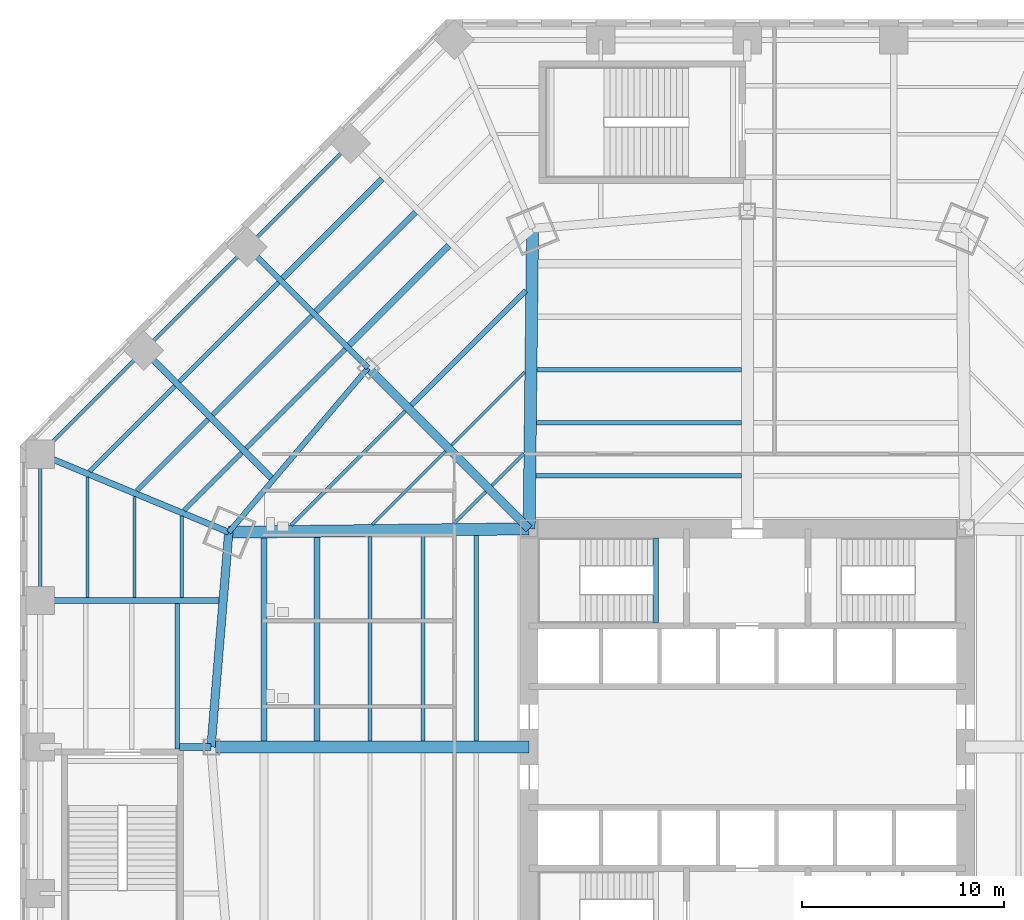
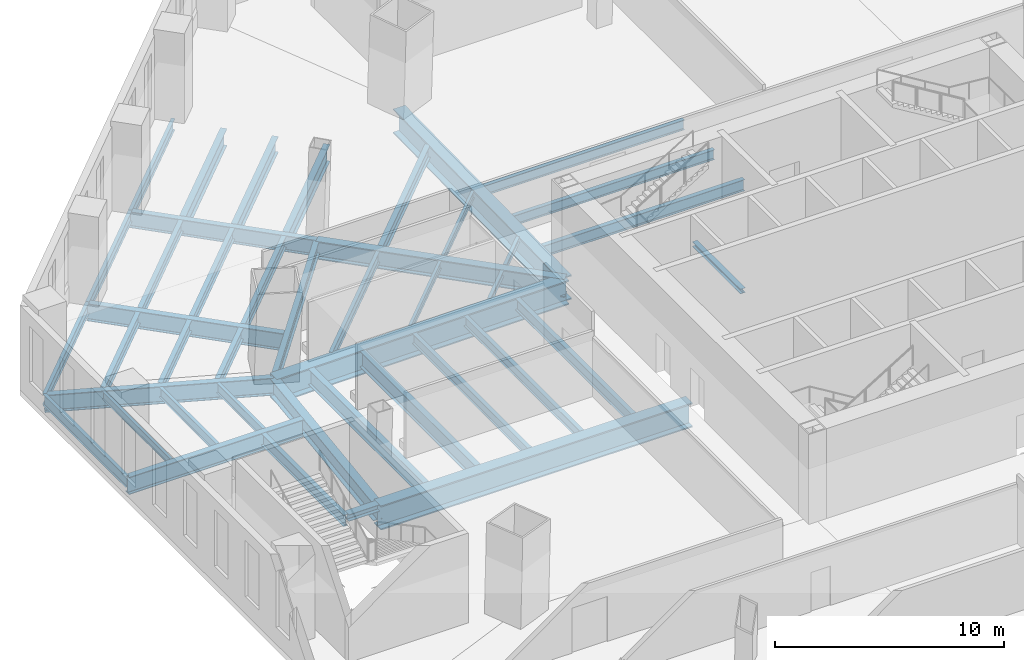
# One storey, part 4 of 19: 42 beams, 1 member.
"""IFC4 building model written with IfcOpenShell, lengths in metres."""

import ifcopenshell
import ifcopenshell.guid

model = None  # the IFC model being written
_history = None  # IfcOwnerHistory: only IFC2X3 demands one
_inside = {}  # id of a spatial element -> (the spatial element, [elements in it])
_under = {}  # id of a project, library or spatial element -> (it, [spatial elements below it])
_declared = {}  # id of a project -> (the project, [libraries it declares])
_typed = {}  # id of a type object -> (the type object, [elements of that type])
_made_of = {}  # id of a material, layer set ... -> (it, [elements and type objects made of it])


def new_model(schema):
    """Start an empty IFC model of exactly this schema.

    Asked for "IFC4X3", IfcOpenShell would pick the latest addendum, in which some entities
    have other attributes; the version numbers below select the first issue.
    IFC2X3 requires an IfcOwnerHistory on every rooted entity: one is made here for all.
    """
    global model, _history
    if schema == "IFC4X3":
        model = ifcopenshell.file(schema_version=(4, 3, 0, 0))
    else:
        model = ifcopenshell.file(schema=schema)
    _inside.clear()
    _under.clear()
    _declared.clear()
    _typed.clear()
    _made_of.clear()
    _history = None
    if model.schema == "IFC2X3":
        org = make("IfcOrganization", Name="unknown")
        user = make(
            "IfcPersonAndOrganization",
            ThePerson=make("IfcPerson", FamilyName="unknown"),
            TheOrganization=org,
        )
        app = make(
            "IfcApplication",
            ApplicationDeveloper=org,
            Version="unknown",
            ApplicationFullName="unknown",
            ApplicationIdentifier="unknown",
        )
        _history = make(
            "IfcOwnerHistory",
            OwningUser=user,
            OwningApplication=app,
            ChangeAction="ADDED",
            CreationDate=0,
        )
    return model


def make(cls, **values):
    """One entity of the class cls with the attributes given. An attribute that is None is left unset."""
    return model.create_entity(
        cls, **{name: value for name, value in values.items() if value is not None}
    )


def rooted(cls, **values):
    """An entity with a GlobalId (a new one), such as an element, a storey or a relation."""
    return make(cls, GlobalId=ifcopenshell.guid.new(), OwnerHistory=_history, **values)


def si_unit(unit_type, name, prefix=None):
    """IfcSIUnit, for example si_unit("LENGTHUNIT", "METRE", prefix="MILLI")."""
    return make("IfcSIUnit", UnitType=unit_type, Prefix=prefix, Name=name)


def assignment(units):
    """IfcUnitAssignment: the units of a project."""
    return None if units is None else make("IfcUnitAssignment", Units=units)


def point(xyz):
    """IfcCartesianPoint."""
    return None if xyz is None else make("IfcCartesianPoint", Coordinates=xyz)


def direction(xyz):
    """IfcDirection."""
    return None if xyz is None else make("IfcDirection", DirectionRatios=xyz)


def frame(location, z_axis=None, x_axis=None):
    """IfcAxis2Placement3D, a coordinate frame: its origin and axes. An axis left out is left unset."""
    return make(
        "IfcAxis2Placement3D",
        Location=point(location),
        Axis=direction(z_axis),
        RefDirection=direction(x_axis),
    )


def frame_2d(location, x_axis=None):
    """IfcAxis2Placement2D, a coordinate frame in the plane: its origin and x axis."""
    return make(
        "IfcAxis2Placement2D", Location=point(location), RefDirection=direction(x_axis)
    )


def origin():
    """The frame at (0, 0, 0) with its axes left unset."""
    return frame((0.0, 0.0, 0.0))


def origin_2d():
    """The frame at (0, 0) in the plane with its x axis left unset."""
    return frame_2d((0.0, 0.0))


def place(relative_to, where):
    """IfcLocalPlacement: puts the frame where relative to a parent placement (None: the world)."""
    return make(
        "IfcLocalPlacement", PlacementRelTo=relative_to, RelativePlacement=where
    )


def context(
    kind, dimensions, precision=None, world=None, true_north=None, identifier=None
):
    """IfcGeometricRepresentationContext, for example the 3D "Model" context."""
    return make(
        "IfcGeometricRepresentationContext",
        ContextIdentifier=identifier,
        ContextType=kind,
        CoordinateSpaceDimension=dimensions,
        Precision=precision,
        WorldCoordinateSystem=world,
        TrueNorth=true_north,
    )


def subcontext(parent, identifier, kind, view, scale=None):
    """IfcGeometricRepresentationSubContext, for example "Body" below "Model"."""
    return make(
        "IfcGeometricRepresentationSubContext",
        ContextIdentifier=identifier,
        ContextType=kind,
        ParentContext=parent,
        TargetScale=scale,
        TargetView=view,
    )


def project(units=None, contexts=None):
    """IfcProject with its units and contexts."""
    return rooted(
        "IfcProject",
        Name="project",
        RepresentationContexts=contexts,
        UnitsInContext=assignment(units),
    )


def spatial(cls, under=None, at=None, **own):
    """A site, building, storey or space (cls), placed at a placement, below another one or the project."""
    s = rooted(cls, ObjectPlacement=at, **own)
    if under is not None:
        _under.setdefault(under.id(), (under, []))[1].append(s)
    return s


def profile(cls, at=None, kind="AREA", **sizes):
    """A parametric profile (cls). Its sizes go by their IFC names, for example OverallWidth=200.0."""
    return make(cls, ProfileType=kind, Position=at, **sizes)


def i_section(**sizes):
    """IfcIShapeProfileDef."""
    return profile("IfcIShapeProfileDef", **sizes)


def extrude(swept, where, along, depth):
    """IfcExtrudedAreaSolid: the profile swept, set in the frame where, extruded along a direction by depth."""
    return make(
        "IfcExtrudedAreaSolid",
        SweptArea=swept,
        Position=where,
        ExtrudedDirection=direction(along),
        Depth=depth,
    )


def shape(context_of_items, identifier, shape_type, items):
    """IfcShapeRepresentation: the items that make up one representation, for example the "Body"."""
    return make(
        "IfcShapeRepresentation",
        ContextOfItems=context_of_items,
        RepresentationIdentifier=identifier,
        RepresentationType=shape_type,
        Items=items,
    )


def source(mapping_origin, context_of_items, identifier, shape_type, items):
    """IfcRepresentationMap: a shape defined once, which mapped items show again and again."""
    return make(
        "IfcRepresentationMap",
        MappingOrigin=mapping_origin,
        MappedRepresentation=shape(context_of_items, identifier, shape_type, items),
    )


def transform(
    local_origin,
    x_axis=None,
    y_axis=None,
    z_axis=None,
    scale=None,
    scale2=None,
    scale3=None,
    uniform=True,
):
    """IfcCartesianTransformationOperator3D, or its non-uniform kind. x_axis, y_axis, z_axis: its Axis1, 2, 3."""
    if uniform:
        return make(
            "IfcCartesianTransformationOperator3D",
            Axis1=direction(x_axis),
            Axis2=direction(y_axis),
            LocalOrigin=point(local_origin),
            Scale=scale,
            Axis3=direction(z_axis),
        )
    return make(
        "IfcCartesianTransformationOperator3DnonUniform",
        Axis1=direction(x_axis),
        Axis2=direction(y_axis),
        LocalOrigin=point(local_origin),
        Scale=scale,
        Axis3=direction(z_axis),
        Scale2=scale2,
        Scale3=scale3,
    )


def mapped(mapping_source, mapping_target):
    """IfcMappedItem: shows the shape of a source again, moved by a transform."""
    return make(
        "IfcMappedItem", MappingSource=mapping_source, MappingTarget=mapping_target
    )


def material(Name=None, Category=None):
    """IfcMaterial."""
    return make("IfcMaterial", Name=Name, Category=Category)


def material_profile(
    of_material, cross_section, Name=None, Category=None, Priority=None
):
    """IfcMaterialProfile: a cross section and its material."""
    return make(
        "IfcMaterialProfile",
        Name=Name,
        Material=of_material,
        Profile=cross_section,
        Priority=Priority,
        Category=Category,
    )


def profile_set(profiles, Name=None, composite=None):
    """IfcMaterialProfileSet."""
    return make(
        "IfcMaterialProfileSet",
        Name=Name,
        MaterialProfiles=profiles,
        CompositeProfile=composite,
    )


def made_of(thing, what):
    """Note that an element or type object is made of a material, layer set ...; save() writes the relation."""
    if what is not None:
        _made_of.setdefault(what.id(), (what, []))[1].append(thing)
    return thing


def type_object(cls, material=None, **own):
    """A type object (cls), such as IfcWallType, which elements share."""
    return made_of(rooted(cls, **own), material)


def type_shapes(of_type, sources):
    """Give a type object the sources (RepresentationMaps) that its elements show as mapped items."""
    of_type.RepresentationMaps = sources


def element(
    cls,
    number,
    at=None,
    inside=None,
    cuts=None,
    type_object=None,
    material=None,
    context=None,
    identifier="Body",
    shape_type=None,
    held_by="IfcProductDefinitionShape",
    body=None,
    shapes=None,
    **own,
):
    """One element of the class cls, such as IfcWall. Its Tag is "e" and its number.

    at: its placement. inside: the storey or other place that contains it. cuts: it is an
    opening in that element (IfcRelVoidsElement). A single representation is given by context,
    identifier, shape_type and body (its items); several are given by shapes. held_by: the class
    of the entity that holds the representations. save() writes the other relations.
    """
    e = rooted(cls, Tag="e%d" % number, ObjectPlacement=at, **own)
    if body is not None:
        shapes = [shape(context, identifier, shape_type, body)]
    if shapes is not None:
        e.Representation = make(held_by, Representations=shapes)
    if inside is not None:
        _inside.setdefault(inside.id(), (inside, []))[1].append(e)
    if cuts is not None:
        rooted(
            "IfcRelVoidsElement", RelatingBuildingElement=cuts, RelatedOpeningElement=e
        )
    if type_object is not None:
        _typed.setdefault(type_object.id(), (type_object, []))[1].append(e)
    return made_of(e, material)


def aggregate(whole, parts):
    """IfcRelAggregates: a whole, such as a stair, and the parts it consists of."""
    return rooted("IfcRelAggregates", RelatingObject=whole, RelatedObjects=parts)


def save(model, path):
    """Write the relations noted so far, then the file.

    IfcRelAggregates (storeys below a building ...), IfcRelContainedInSpatialStructure (elements
    in a storey), IfcRelDefinesByType, IfcRelAssociatesMaterial and IfcRelDeclares: one each for
    every whole, place, type object, material and project.
    """
    for whole, parts in _under.values():
        aggregate(whole, parts)
    for where, things in _inside.values():
        rooted(
            "IfcRelContainedInSpatialStructure",
            RelatedElements=things,
            RelatingStructure=where,
        )
    for kind, things in _typed.values():
        rooted("IfcRelDefinesByType", RelatedObjects=things, RelatingType=kind)
    for what, things in _made_of.values():
        rooted("IfcRelAssociatesMaterial", RelatedObjects=things, RelatingMaterial=what)
    for by, libraries in _declared.values():
        rooted("IfcRelDeclares", RelatingContext=by, RelatedDefinitions=libraries)
    model.write(path)


model = new_model("IFC4")

# Units and contexts
model_context = context("Model", 3, precision=1e-05, world=origin(), true_north=direction((0.0, 1.0)))
body_context = subcontext(model_context, "Body", "Model", "MODEL_VIEW")
ifc_project = project(units=[si_unit("LENGTHUNIT", "METRE"), si_unit("AREAUNIT", "SQUARE_METRE"), si_unit("VOLUMEUNIT", "CUBIC_METRE"), si_unit("PLANEANGLEUNIT", "RADIAN"), si_unit("MASSUNIT", "GRAM", prefix="KILO")], contexts=[model_context])

# Site, building, storey
site_placement = place(None, origin())
site = spatial("IfcSite", under=ifc_project, at=site_placement, CompositionType="ELEMENT")
building_placement = place(site_placement, origin())
building = spatial("IfcBuilding", under=site, at=building_placement, Name="Mashrafa Tower", CompositionType="ELEMENT")
storey_placement = place(building_placement, frame((0.0, 0.0, 24.0)))
storey = spatial("IfcBuildingStorey", under=building, at=storey_placement, Name="L04", CompositionType="ELEMENT", Elevation=24.0)

# Beams
ifc_material_1 = material(Name="Steel ASTM A572 Gr 50", Category="steel")
ifc_material_profile_1 = material_profile(ifc_material_1, i_section(OverallWidth=0.60009765625, OverallDepth=1.300048828125, WebThickness=0.028076171875, FlangeThickness=0.06494140625, at=origin_2d()), Name="H1300X600X28X65")
ifc_profile_set_1 = profile_set([ifc_material_profile_1], Name="Steel ASTM A572 Gr 50")
beam_type_1 = type_object("IfcBeamType", Name="Beam H1300X600X28X65", PredefinedType="BEAM", material=ifc_profile_set_1)
beam_1_placement = place(storey_placement, frame((-10.800048828125, 0.0, -0.949951171875), z_axis=(-1.0, 0.0, 0.0), x_axis=(0.0, -1.0, 0.0)))
element("IfcBeam", 1, at=beam_1_placement, inside=storey, type_object=beam_type_1, Name="Radial girder L04 212", PredefinedType="BEAM", context=body_context, shape_type="SweptSolid", body=[
    extrude(i_section(OverallWidth=0.60009765625, OverallDepth=1.300048828125, WebThickness=0.028076171875, FlangeThickness=0.06494140625, at=origin_2d()), origin(), (0.0, 0.0, 1.0), 15.744140625),
])
for number, where, z_axis, x_axis, name in (
    (2, (-10.800048828125, 10.800048828125, -0.949951171875), (-0.999935429535, -0.011363835661, 0.0), (0.011363835661, -0.999935429535, 0.0), "Radial girder L04 213"),
    (3, (-10.800048828125, 10.800048828125, -0.949951171875), (0.011363835661, 0.999935429535, 0.0), (-0.999935429535, 0.011363835661, 0.0), "Radial girder L04 215"),
):
    element("IfcBeam", number, at=place(storey_placement, frame(where, z_axis=z_axis, x_axis=x_axis)), inside=storey, type_object=beam_type_1, Name=name, PredefinedType="BEAM", context=body_context, shape_type="SweptSolid", body=[
        extrude(i_section(OverallWidth=0.60009765625, OverallDepth=1.300048828125, WebThickness=0.028076171875, FlangeThickness=0.06494140625, at=origin_2d()), origin(), (0.0, 0.0, 1.0), 14.866943359375),
    ])
ifc_material_2 = material(Name="Steel ASTM A992", Category="steel")
ifc_material_profile_2 = material_profile(ifc_material_2, i_section(OverallWidth=0.164794921875, OverallDepth=0.309814453125, WebThickness=0.005859375, FlangeThickness=0.009765625, FilletRadius=0.007568359375, at=origin_2d()), Name="W12X26")
ifc_profile_set_2 = profile_set([ifc_material_profile_2], Name="Steel ASTM A992")
beam_type_2 = type_object("IfcBeamType", Name="Beam W12X26", PredefinedType="BEAM", material=ifc_profile_set_2)
for number, where, z_axis, x_axis, name in (
    (4, (-14.527099609375, 11.0576171875, -0.454833984375), (0.707106781187, 0.707106781187, 0.0), (-0.707106781187, 0.707106781187, 0.0), "Floor beam L04 030"),
    (5, (-12.642333984375, 12.9423828125, -0.454833984375), (0.707106781187, 0.707106781187, 0.0), (-0.707106781187, 0.707106781187, 0.0), "Floor beam L04 038"),
):
    element("IfcBeam", number, at=place(storey_placement, frame(where, z_axis=z_axis, x_axis=x_axis)), inside=storey, type_object=beam_type_2, Name=name, PredefinedType="BEAM", context=body_context, shape_type="SweptSolid", body=[
        extrude(i_section(OverallWidth=0.164794921875, OverallDepth=0.309814453125, WebThickness=0.005859375, FlangeThickness=0.009765625, FilletRadius=0.007568359375, at=origin_2d()), origin(), (0.0, 0.0, 1.0), 2.2412109375),
    ])
ifc_material_3 = material(Name="Steel ASTM A992", Category="steel")
ifc_material_profile_3 = material_profile(ifc_material_3, i_section(OverallWidth=0.140380859375, OverallDepth=0.40380859375, WebThickness=0.007080078125, FlangeThickness=0.01123046875, FilletRadius=0.01025390625, at=origin_2d()), Name="W16X31")
ifc_profile_set_3 = profile_set([ifc_material_profile_3], Name="Steel ASTM A992")
beam_type_3 = type_object("IfcBeamType", Name="Beam W16X31", PredefinedType="BEAM", material=ifc_profile_set_3)
beam_2_placement = place(storey_placement, frame((-32.66650390625, 7.40234375, -0.501953125), z_axis=(0.0, 1.0, 0.0), x_axis=(-1.0, 0.0, 0.0)))
element("IfcBeam", 6, at=beam_2_placement, inside=storey, type_object=beam_type_3, Name="Floor beam L04 003", PredefinedType="BEAM", context=body_context, shape_type="SweptSolid", body=[
    extrude(i_section(OverallWidth=0.140380859375, OverallDepth=0.40380859375, WebThickness=0.007080078125, FlangeThickness=0.01123046875, FilletRadius=0.01025390625, at=origin_2d()), origin(), (0.0, 0.0, 1.0), 5.962158203125),
])
for number, where, z_axis, x_axis, name in (
    (7, (-18.5576171875, 11.011962890625, -0.501953125), (0.707106781187, 0.707106781187, 0.0), (-0.707106781187, 0.707106781187, 0.0), "Floor beam L04 023"),
    (8, (-14.634765625, 14.934814453125, -0.501953125), (0.707106781187, 0.707106781187, 0.0), (-0.707106781187, 0.707106781187, 0.0), "Floor beam L04 032"),
):
    element("IfcBeam", number, at=place(storey_placement, frame(where, z_axis=z_axis, x_axis=x_axis)), inside=storey, type_object=beam_type_3, Name=name, PredefinedType="BEAM", context=body_context, shape_type="SweptSolid", body=[
        extrude(i_section(OverallWidth=0.140380859375, OverallDepth=0.40380859375, WebThickness=0.007080078125, FlangeThickness=0.01123046875, FilletRadius=0.01025390625, at=origin_2d()), origin(), (0.0, 0.0, 1.0), 5.12353515625),
    ])
ifc_material_4 = material(Name="Steel ASTM A992", Category="steel")
ifc_material_profile_4 = material_profile(ifc_material_4, i_section(OverallWidth=0.1650390625, OverallDepth=0.52587890625, WebThickness=0.0087890625, FlangeThickness=0.011474609375, FilletRadius=0.0126953125, at=origin_2d()), Name="W21X44")
ifc_profile_set_4 = profile_set([ifc_material_profile_4], Name="Steel ASTM A992")
beam_type_4 = type_object("IfcBeamType", Name="Beam W21X44", PredefinedType="BEAM", material=ifc_profile_set_4)
beam_3_placement = place(storey_placement, frame((-30.3330078125, 7.40234375, -0.56298828125), z_axis=(0.0, 1.0, 0.0), x_axis=(-1.0, 0.0, 0.0)))
element("IfcBeam", 9, at=beam_3_placement, inside=storey, type_object=beam_type_4, Name="Floor beam L04 007", PredefinedType="BEAM", context=body_context, shape_type="SweptSolid", body=[
    extrude(i_section(OverallWidth=0.1650390625, OverallDepth=0.52587890625, WebThickness=0.0087890625, FlangeThickness=0.011474609375, FilletRadius=0.0126953125, at=origin_2d()), origin(), (0.0, 0.0, 1.0), 4.995849609375),
])
beam_4_placement = place(storey_placement, frame((-27.99951171875, 7.40234375, -0.56298828125), z_axis=(0.0, 1.0, 0.0), x_axis=(-1.0, 0.0, 0.0)))
element("IfcBeam", 10, at=beam_4_placement, inside=storey, type_object=beam_type_4, Name="Floor beam L04 010", PredefinedType="BEAM", context=body_context, shape_type="SweptSolid", body=[
    extrude(i_section(OverallWidth=0.1650390625, OverallDepth=0.52587890625, WebThickness=0.0087890625, FlangeThickness=0.011474609375, FilletRadius=0.0126953125, at=origin_2d()), origin(), (0.0, 0.0, 1.0), 4.029052734375),
])
ifc_material_5 = material(Name="Steel ASTM A992", Category="steel")
ifc_material_profile_5 = material_profile(ifc_material_5, i_section(OverallWidth=0.209228515625, OverallDepth=0.533447265625, WebThickness=0.01025390625, FlangeThickness=0.015625, FilletRadius=0.012939453125, at=origin_2d()), Name="W21X62")
ifc_profile_set_5 = profile_set([ifc_material_profile_5], Name="Steel ASTM A992")
beam_type_5 = type_object("IfcBeamType", Name="Beam W21X62", PredefinedType="BEAM", material=ifc_profile_set_5)
beam_5_placement = place(storey_placement, frame((-18.672119140625, 0.300048828125, -0.566650390625), z_axis=(0.0, 1.0, 0.0), x_axis=(-1.0, 0.0, 0.0)))
element("IfcBeam", 11, at=beam_5_placement, inside=storey, type_object=beam_type_5, Name="Floor beam L04 025", PredefinedType="BEAM", context=body_context, shape_type="SweptSolid", body=[
    extrude(i_section(OverallWidth=0.209228515625, OverallDepth=0.533447265625, WebThickness=0.01025390625, FlangeThickness=0.015625, FilletRadius=0.012939453125, at=origin_2d()), origin(), (0.0, 0.0, 1.0), 10.110595703125),
])
for number, where, z_axis, x_axis, name in (
    (12, (-16.048095703125, 0.300048828125, -0.566650390625), (0.0, 1.0, 0.0), (-1.0, 0.0, 0.0), "Floor beam L04 029"),
    (13, (-10.4404296875, 16.048095703125, -0.566650390625), (1.0, 0.0, 0.0), (0.0, 1.0, 0.0), "Floor beam L04 044"),
):
    element("IfcBeam", number, at=place(storey_placement, frame(where, z_axis=z_axis, x_axis=x_axis)), inside=storey, type_object=beam_type_5, Name=name, PredefinedType="BEAM", context=body_context, shape_type="SweptSolid", body=[
        extrude(i_section(OverallWidth=0.209228515625, OverallDepth=0.533447265625, WebThickness=0.01025390625, FlangeThickness=0.015625, FilletRadius=0.012939453125, at=origin_2d()), origin(), (0.0, 0.0, 1.0), 10.140380859375),
    ])
beam_6_placement = place(storey_placement, frame((-10.41064453125, 18.672119140625, -0.566650390625), z_axis=(1.0, 0.0, 0.0), x_axis=(0.0, 1.0, 0.0)))
element("IfcBeam", 14, at=beam_6_placement, inside=storey, type_object=beam_type_5, Name="Floor beam L04 045", PredefinedType="BEAM", context=body_context, shape_type="SweptSolid", body=[
    extrude(i_section(OverallWidth=0.209228515625, OverallDepth=0.533447265625, WebThickness=0.01025390625, FlangeThickness=0.015625, FilletRadius=0.012939453125, at=origin_2d()), origin(), (0.0, 0.0, 1.0), 10.110595703125),
])
ifc_material_6 = material(Name="Steel ASTM A992", Category="steel")
ifc_material_profile_6 = material_profile(ifc_material_6, i_section(OverallWidth=0.177978515625, OverallDepth=0.599365234375, WebThickness=0.010009765625, FlangeThickness=0.012939453125, FilletRadius=0.012939453125, at=origin_2d()), Name="W24X55")
ifc_profile_set_6 = profile_set([ifc_material_profile_6], Name="Steel ASTM A992")
beam_type_6 = type_object("IfcBeamType", Name="Beam W24X55", PredefinedType="BEAM", material=ifc_profile_set_6)
beam_7_placement = place(storey_placement, frame((-22.588134765625, 10.96630859375, -0.599609375), z_axis=(0.707106781187, 0.707106781187, 0.0), x_axis=(-0.707106781187, 0.707106781187, 0.0)))
element("IfcBeam", 15, at=beam_7_placement, inside=storey, type_object=beam_type_6, Name="Floor beam L04 016", PredefinedType="BEAM", context=body_context, shape_type="SweptSolid", body=[
    extrude(i_section(OverallWidth=0.177978515625, OverallDepth=0.599365234375, WebThickness=0.010009765625, FlangeThickness=0.012939453125, FilletRadius=0.012939453125, at=origin_2d()), origin(), (0.0, 0.0, 1.0), 8.005615234375),
])
beam_8_placement = place(storey_placement, frame((-35.0, 14.49755859375, -0.599609375), z_axis=(0.0, -1.0, 0.0), x_axis=(1.0, 0.0, 0.0)))
element("IfcBeam", 16, at=beam_8_placement, inside=storey, type_object=beam_type_6, Name="Podium edge beam L04 125", PredefinedType="BEAM", context=body_context, shape_type="SweptSolid", body=[
    extrude(i_section(OverallWidth=0.177978515625, OverallDepth=0.599365234375, WebThickness=0.010009765625, FlangeThickness=0.012939453125, FilletRadius=0.012939453125, at=origin_2d()), origin(), (0.0, 0.0, 1.0), 7.248779296875),
])
beam_9_placement = place(storey_placement, frame((-29.87451171875, 19.623046875, -0.599609375), z_axis=(-0.707106781187, -0.707106781187, 0.0), x_axis=(0.707106781187, -0.707106781187, 0.0)))
element("IfcBeam", 17, at=beam_9_placement, inside=storey, type_object=beam_type_6, Name="Podium edge beam L04 127", PredefinedType="BEAM", context=body_context, shape_type="SweptSolid", body=[
    extrude(i_section(OverallWidth=0.177978515625, OverallDepth=0.599365234375, WebThickness=0.010009765625, FlangeThickness=0.012939453125, FilletRadius=0.012939453125, at=origin_2d()), origin(), (0.0, 0.0, 1.0), 7.24853515625),
])
for number, where, z_axis, x_axis, name in (
    (18, (-24.748779296875, 24.748779296875, -0.599609375), (-0.707106781187, -0.707106781187, 0.0), (0.707106781187, -0.707106781187, 0.0), "Podium edge beam L04 129"),
    (19, (-19.623046875, 29.87451171875, -0.599609375), (-0.707106781187, -0.707106781187, 0.0), (0.707106781187, -0.707106781187, 0.0), "Podium edge beam L04 131"),
):
    element("IfcBeam", number, at=place(storey_placement, frame(where, z_axis=z_axis, x_axis=x_axis)), inside=storey, type_object=beam_type_6, Name=name, PredefinedType="BEAM", context=body_context, shape_type="SweptSolid", body=[
        extrude(i_section(OverallWidth=0.177978515625, OverallDepth=0.599365234375, WebThickness=0.010009765625, FlangeThickness=0.012939453125, FilletRadius=0.012939453125, at=origin_2d()), origin(), (0.0, 0.0, 1.0), 7.248779296875),
    ])
ifc_material_7 = material(Name="Steel ASTM A992", Category="steel")
ifc_material_profile_7 = material_profile(ifc_material_7, i_section(OverallWidth=0.227783203125, OverallDepth=0.60205078125, WebThickness=0.010498046875, FlangeThickness=0.014892578125, FilletRadius=0.012939453125, at=origin_2d()), Name="W24X68")
ifc_profile_set_7 = profile_set([ifc_material_profile_7], Name="Steel ASTM A992")
beam_type_7 = type_object("IfcBeamType", Name="Beam W24X68", PredefinedType="BEAM", material=ifc_profile_set_7)
beam_10_placement = place(storey_placement, frame((-30.21533203125, 12.681884765625, -0.60107421875), z_axis=(0.707082344687, 0.707131216842, 0.0), x_axis=(-0.707131216842, 0.707082344687, 0.0)))
element("IfcBeam", 20, at=beam_10_placement, inside=storey, type_object=beam_type_7, Name="Floor beam L04 008 part 1", PredefinedType="BEAM", context=body_context, shape_type="SweptSolid", body=[
    extrude(i_section(OverallWidth=0.227783203125, OverallDepth=0.60205078125, WebThickness=0.010498046875, FlangeThickness=0.014892578125, FilletRadius=0.012939453125, at=origin_2d()), origin(), (0.0, 0.0, 1.0), 4.99560546875),
])
beam_11_placement = place(storey_placement, frame((-26.465576171875, 16.431640625, -0.60107421875), z_axis=(0.707089214407, 0.707124347529, 0.0), x_axis=(-0.707124347529, 0.707089214407, 0.0)))
element("IfcBeam", 21, at=beam_11_placement, inside=storey, type_object=beam_type_7, Name="Floor beam L04 008 part 2", PredefinedType="BEAM", context=body_context, shape_type="SweptSolid", body=[
    extrude(i_section(OverallWidth=0.227783203125, OverallDepth=0.60205078125, WebThickness=0.010498046875, FlangeThickness=0.014892578125, FilletRadius=0.012939453125, at=origin_2d()), origin(), (0.0, 0.0, 1.0), 6.948974609375),
])
ifc_material_8 = material(Name="Steel ASTM A992", Category="steel")
ifc_material_profile_8 = material_profile(ifc_material_8, i_section(OverallWidth=0.228271484375, OverallDepth=0.607177734375, WebThickness=0.01123046875, FlangeThickness=0.017333984375, FilletRadius=0.0126953125, at=origin_2d()), Name="W24X76")
ifc_profile_set_8 = profile_set([ifc_material_profile_8], Name="Steel ASTM A992")
beam_type_8 = type_object("IfcBeamType", Name="Beam W24X76", PredefinedType="BEAM", material=ifc_profile_set_8)
beam_12_placement = place(storey_placement, frame((-32.548828125, 13.6484375, -0.603515625), z_axis=(0.707086306999, 0.707127254781, 0.0), x_axis=(-0.707127254781, 0.707086306999, 0.0)))
element("IfcBeam", 22, at=beam_12_placement, inside=storey, type_object=beam_type_8, Name="Floor beam L04 004 part 1", PredefinedType="BEAM", context=body_context, shape_type="SweptSolid", body=[
    extrude(i_section(OverallWidth=0.228271484375, OverallDepth=0.607177734375, WebThickness=0.01123046875, FlangeThickness=0.017333984375, FilletRadius=0.0126953125, at=origin_2d()), origin(), (0.0, 0.0, 1.0), 5.962158203125),
])
beam_13_placement = place(storey_placement, frame((-28.11572265625, 18.081787109375, -0.603515625), z_axis=(0.707124347529, 0.707089214407, 0.0), x_axis=(-0.707089214407, 0.707124347529, 0.0)))
element("IfcBeam", 23, at=beam_13_placement, inside=storey, type_object=beam_type_8, Name="Floor beam L04 004 part 2", PredefinedType="BEAM", context=body_context, shape_type="SweptSolid", body=[
    extrude(i_section(OverallWidth=0.228271484375, OverallDepth=0.607177734375, WebThickness=0.01123046875, FlangeThickness=0.017333984375, FilletRadius=0.0126953125, at=origin_2d()), origin(), (0.0, 0.0, 1.0), 6.948974609375),
])
for number, where, z_axis, x_axis, name in (
    (24, (-13.424072265625, 0.300048828125, -0.603515625), (0.0, 1.0, 0.0), (-1.0, 0.0, 0.0), "Floor beam L04 036"),
    (25, (-10.47021484375, 13.424072265625, -0.603515625), (1.0, 0.0, 0.0), (0.0, 1.0, 0.0), "Floor beam L04 042"),
):
    element("IfcBeam", number, at=place(storey_placement, frame(where, z_axis=z_axis, x_axis=x_axis)), inside=storey, type_object=beam_type_8, Name=name, PredefinedType="BEAM", context=body_context, shape_type="SweptSolid", body=[
        extrude(i_section(OverallWidth=0.228271484375, OverallDepth=0.607177734375, WebThickness=0.01123046875, FlangeThickness=0.017333984375, FilletRadius=0.0126953125, at=origin_2d()), origin(), (0.0, 0.0, 1.0), 10.170166015625),
    ])
ifc_material_9 = material(Name="Steel ASTM A992", Category="steel")
ifc_material_profile_9 = material_profile(ifc_material_9, i_section(OverallWidth=0.22900390625, OverallDepth=0.612060546875, WebThickness=0.011962890625, FlangeThickness=0.01953125, FilletRadius=0.0126953125, at=origin_2d()), Name="W24X84")
ifc_profile_set_9 = profile_set([ifc_material_profile_9], Name="Steel ASTM A992")
beam_type_9 = type_object("IfcBeamType", Name="Beam W24X84", PredefinedType="BEAM", material=ifc_profile_set_9)
beam_14_placement = place(storey_placement, frame((-28.208984375, -0.10009765625, -0.60595703125), z_axis=(0.0, 1.0, 0.0), x_axis=(-1.0, 0.0, 0.0)))
element("IfcBeam", 26, at=beam_14_placement, inside=storey, type_object=beam_type_9, Name="Floor beam L04 009", PredefinedType="BEAM", context=body_context, shape_type="SweptSolid", body=[
    extrude(i_section(OverallWidth=0.22900390625, OverallDepth=0.612060546875, WebThickness=0.011962890625, FlangeThickness=0.01953125, FilletRadius=0.0126953125, at=origin_2d()), origin(), (0.0, 0.0, 1.0), 7.195068359375),
])
beam_15_placement = place(storey_placement, frame((-27.882080078125, 11.71533203125, -0.60595703125), z_axis=(0.707106781187, 0.707106781187, 0.0), x_axis=(-0.707106781187, 0.707106781187, 0.0)))
element("IfcBeam", 27, at=beam_15_placement, inside=storey, type_object=beam_type_9, Name="Floor beam L04 011 part 1", PredefinedType="BEAM", context=body_context, shape_type="SweptSolid", body=[
    extrude(i_section(OverallWidth=0.22900390625, OverallDepth=0.612060546875, WebThickness=0.011962890625, FlangeThickness=0.01953125, FilletRadius=0.0126953125, at=origin_2d()), origin(), (0.0, 0.0, 1.0), 4.02880859375),
])
beam_16_placement = place(storey_placement, frame((-24.815673828125, 14.78173828125, -0.60595703125), z_axis=(0.707106781187, 0.707106781187, 0.0), x_axis=(-0.707106781187, 0.707106781187, 0.0)))
element("IfcBeam", 28, at=beam_16_placement, inside=storey, type_object=beam_type_9, Name="Floor beam L04 011 part 2", PredefinedType="BEAM", context=body_context, shape_type="SweptSolid", body=[
    extrude(i_section(OverallWidth=0.22900390625, OverallDepth=0.612060546875, WebThickness=0.011962890625, FlangeThickness=0.01953125, FilletRadius=0.0126953125, at=origin_2d()), origin(), (0.0, 0.0, 1.0), 6.94873046875),
])
ifc_material_10 = material(Name="Steel ASTM A992", Category="steel")
ifc_material_profile_10 = material_profile(ifc_material_10, i_section(OverallWidth=0.256591796875, OverallDepth=0.693359375, WebThickness=0.014404296875, FlangeThickness=0.023681640625, FilletRadius=0.01513671875, at=origin_2d()), Name="W27X114")
ifc_profile_set_10 = profile_set([ifc_material_profile_10], Name="Steel ASTM A992")
beam_type_10 = type_object("IfcBeamType", Name="Beam W27X114", PredefinedType="BEAM", material=ifc_profile_set_10)
beam_17_placement = place(storey_placement, frame((-16.627197265625, 16.92724609375, -0.646728515625), z_axis=(0.707106781187, 0.707106781187, 0.0), x_axis=(-0.707106781187, 0.707106781187, 0.0)))
element("IfcBeam", 29, at=beam_17_placement, inside=storey, type_object=beam_type_10, Name="Floor beam L04 027", PredefinedType="BEAM", context=body_context, shape_type="SweptSolid", body=[
    extrude(i_section(OverallWidth=0.256591796875, OverallDepth=0.693359375, WebThickness=0.014404296875, FlangeThickness=0.023681640625, FilletRadius=0.01513671875, at=origin_2d()), origin(), (0.0, 0.0, 1.0), 8.005615234375),
])
ifc_material_11 = material(Name="Steel ASTM A992", Category="steel")
ifc_material_profile_11 = material_profile(ifc_material_11, i_section(OverallWidth=0.2666015625, OverallDepth=0.75439453125, WebThickness=0.01318359375, FlangeThickness=0.01708984375, FilletRadius=0.0166015625, at=origin_2d()), Name="W30X99")
ifc_profile_set_11 = profile_set([ifc_material_profile_11], Name="Steel ASTM A992")
beam_type_11 = type_object("IfcBeamType", Name="Beam W30X99", PredefinedType="BEAM", material=ifc_profile_set_11)
beam_18_placement = place(storey_placement, frame((-18.76953125, 18.76953125, -0.67724609375), z_axis=(-0.646495054793, -0.762918176562, 0.0), x_axis=(0.762918176562, -0.646495054793, 0.0)))
element("IfcBeam", 30, at=beam_18_placement, inside=storey, type_object=beam_type_11, Name="Podium ring girder L04 197", PredefinedType="BEAM", context=body_context, shape_type="SweptSolid", body=[
    extrude(i_section(OverallWidth=0.2666015625, OverallDepth=0.75439453125, WebThickness=0.01318359375, FlangeThickness=0.01708984375, FilletRadius=0.0166015625, at=origin_2d()), origin(), (0.0, 0.0, 1.0), 10.66748046875),
])
ifc_material_12 = material(Name="Steel ASTM A992", Category="steel")
ifc_material_profile_12 = material_profile(ifc_material_12, i_section(OverallWidth=0.2919921875, OverallDepth=0.8408203125, WebThickness=0.0146484375, FlangeThickness=0.021728515625, FilletRadius=0.017333984375, at=origin_2d()), Name="W33X130")
ifc_profile_set_12 = profile_set([ifc_material_profile_12], Name="Steel ASTM A992")
beam_type_12 = type_object("IfcBeamType", Name="Beam W33X130", PredefinedType="BEAM", material=ifc_profile_set_12)
beam_19_placement = place(storey_placement, frame((-21.296142578125, 0.300048828125, -0.720458984375), z_axis=(0.0, 1.0, 0.0), x_axis=(-1.0, 0.0, 0.0)))
element("IfcBeam", 31, at=beam_19_placement, inside=storey, type_object=beam_type_12, Name="Floor beam L04 020", PredefinedType="BEAM", context=body_context, shape_type="SweptSolid", body=[
    extrude(i_section(OverallWidth=0.2919921875, OverallDepth=0.8408203125, WebThickness=0.0146484375, FlangeThickness=0.021728515625, FilletRadius=0.017333984375, at=origin_2d()), origin(), (0.0, 0.0, 1.0), 10.080810546875),
])
ifc_material_13 = material(Name="Steel ASTM A992", Category="steel")
ifc_material_profile_13 = material_profile(ifc_material_13, i_section(OverallWidth=0.2919921875, OverallDepth=0.845703125, WebThickness=0.015380859375, FlangeThickness=0.0244140625, FilletRadius=0.017333984375, at=origin_2d()), Name="W33X141")
ifc_profile_set_13 = profile_set([ifc_material_profile_13], Name="Steel ASTM A992")
beam_type_13 = type_object("IfcBeamType", Name="Beam W33X141", PredefinedType="BEAM", material=ifc_profile_set_13)
beam_20_placement = place(storey_placement, frame((-23.92041015625, 0.300048828125, -0.722900390625), z_axis=(0.0, 1.0, 0.0), x_axis=(-1.0, 0.0, 0.0)))
element("IfcBeam", 32, at=beam_20_placement, inside=storey, type_object=beam_type_13, Name="Floor beam L04 013", PredefinedType="BEAM", context=body_context, shape_type="SweptSolid", body=[
    extrude(i_section(OverallWidth=0.2919921875, OverallDepth=0.845703125, WebThickness=0.015380859375, FlangeThickness=0.0244140625, FilletRadius=0.017333984375, at=origin_2d()), origin(), (0.0, 0.0, 1.0), 10.051025390625),
])
beam_21_placement = place(storey_placement, frame((-21.345458984375, 21.552001953125, -0.722900390625), z_axis=(0.707124347529, 0.707089214407, 0.0), x_axis=(-0.707089214407, 0.707124347529, 0.0)))
element("IfcBeam", 33, at=beam_21_placement, inside=storey, type_object=beam_type_13, Name="Floor beam L04 018 part 1", PredefinedType="BEAM", context=body_context, shape_type="SweptSolid", body=[
    extrude(i_section(OverallWidth=0.2919921875, OverallDepth=0.845703125, WebThickness=0.015380859375, FlangeThickness=0.0244140625, FilletRadius=0.017333984375, at=origin_2d()), origin(), (0.0, 0.0, 1.0), 6.948974609375),
])
ifc_material_14 = material(Name="Steel ASTM A992", Category="steel")
ifc_material_profile_14 = material_profile(ifc_material_14, i_section(OverallWidth=0.2919921875, OverallDepth=0.8583984375, WebThickness=0.01708984375, FlangeThickness=0.031005859375, FilletRadius=0.017822265625, at=origin_2d()), Name="W33X169")
ifc_profile_set_14 = profile_set([ifc_material_profile_14], Name="Steel ASTM A992")
beam_type_14 = type_object("IfcBeamType", Name="Beam W33X169", PredefinedType="BEAM", material=ifc_profile_set_14)
beam_22_placement = place(storey_placement, frame((-18.76953125, 18.76953125, -0.729248046875), z_axis=(-0.707106781187, 0.707106781187, 0.0), x_axis=(-0.707106781187, -0.707106781187, 0.0)))
element("IfcBeam", 34, at=beam_22_placement, inside=storey, type_object=beam_type_14, Name="Podium radial beam L04 163", PredefinedType="BEAM", context=body_context, shape_type="SweptSolid", body=[
    extrude(i_section(OverallWidth=0.2919921875, OverallDepth=0.8583984375, WebThickness=0.01708984375, FlangeThickness=0.031005859375, FilletRadius=0.017822265625, at=origin_2d()), origin(), (0.0, 0.0, 1.0), 8.4560546875),
])
ifc_material_15 = material(Name="Steel ASTM A992", Category="steel")
ifc_material_profile_15 = material_profile(ifc_material_15, i_section(OverallWidth=0.3046875, OverallDepth=0.911865234375, WebThickness=0.015869140625, FlangeThickness=0.02392578125, FilletRadius=0.01904296875, at=origin_2d()), Name="W36X150")
ifc_profile_set_15 = profile_set([ifc_material_profile_15], Name="Steel ASTM A992")
beam_type_15 = type_object("IfcBeamType", Name="Beam W36X150", PredefinedType="BEAM", material=ifc_profile_set_15)
beam_23_placement = place(storey_placement, frame((-22.995361328125, 23.201904296875, -0.755859375), z_axis=(0.707089214407, 0.707124347529, 0.0), x_axis=(-0.707124347529, 0.707089214407, 0.0)))
element("IfcBeam", 35, at=beam_23_placement, inside=storey, type_object=beam_type_15, Name="Floor beam L04 015 part 1", PredefinedType="BEAM", context=body_context, shape_type="SweptSolid", body=[
    extrude(i_section(OverallWidth=0.3046875, OverallDepth=0.911865234375, WebThickness=0.015869140625, FlangeThickness=0.02392578125, FilletRadius=0.01904296875, at=origin_2d()), origin(), (0.0, 0.0, 1.0), 6.948974609375),
])
beam_24_placement = place(storey_placement, frame((-19.6953125, 19.902099609375, -0.755859375), z_axis=(0.707106781187, 0.707106781187, 0.0), x_axis=(-0.707106781187, 0.707106781187, 0.0)))
element("IfcBeam", 36, at=beam_24_placement, inside=storey, type_object=beam_type_15, Name="Floor beam L04 022 part 1", PredefinedType="BEAM", context=body_context, shape_type="SweptSolid", body=[
    extrude(i_section(OverallWidth=0.3046875, OverallDepth=0.911865234375, WebThickness=0.015869140625, FlangeThickness=0.02392578125, FilletRadius=0.01904296875, at=origin_2d()), origin(), (0.0, 0.0, 1.0), 6.94873046875),
])
ifc_material_16 = material(Name="Steel ASTM A992", Category="steel")
ifc_material_profile_16 = material_profile(ifc_material_16, i_section(OverallWidth=0.307373046875, OverallDepth=0.927001953125, WebThickness=0.01953125, FlangeThickness=0.031982421875, FilletRadius=0.01904296875, at=origin_2d()), Name="W36X194")
ifc_profile_set_16 = profile_set([ifc_material_profile_16], Name="Steel ASTM A992")
beam_type_16 = type_object("IfcBeamType", Name="Beam W36X194", PredefinedType="BEAM", material=ifc_profile_set_16)
beam_25_placement = place(storey_placement, frame((-26.15576171875, 7.248779296875, -0.763671875), z_axis=(-1.0, 0.0, 0.0), x_axis=(0.0, -1.0, 0.0)))
element("IfcBeam", 37, at=beam_25_placement, inside=storey, type_object=beam_type_16, Name="Podium radial beam L04 157", PredefinedType="BEAM", context=body_context, shape_type="SweptSolid", body=[
    extrude(i_section(OverallWidth=0.307373046875, OverallDepth=0.927001953125, WebThickness=0.01953125, FlangeThickness=0.031982421875, FilletRadius=0.01904296875, at=origin_2d()), origin(), (0.0, 0.0, 1.0), 8.84423828125),
])
beam_26_placement = place(storey_placement, frame((-25.666015625, 10.631103515625, -0.763671875), z_axis=(-0.923872807855, 0.382699666719, 0.0), x_axis=(-0.382699666719, -0.923872807855, 0.0)))
element("IfcBeam", 38, at=beam_26_placement, inside=storey, type_object=beam_type_16, Name="Podium radial beam L04 159", PredefinedType="BEAM", context=body_context, shape_type="SweptSolid", body=[
    extrude(i_section(OverallWidth=0.307373046875, OverallDepth=0.927001953125, WebThickness=0.01953125, FlangeThickness=0.031982421875, FilletRadius=0.01904296875, at=origin_2d()), origin(), (0.0, 0.0, 1.0), 10.10302734375),
])
beam_27_placement = place(storey_placement, frame((-23.56640625, 13.315185546875, -0.763671875), z_axis=(-0.707120464785, 0.707093097324, 0.0), x_axis=(-0.707093097324, -0.707120464785, 0.0)))
element("IfcBeam", 39, at=beam_27_placement, inside=storey, type_object=beam_type_16, Name="Podium radial beam L04 161", PredefinedType="BEAM", context=body_context, shape_type="SweptSolid", body=[
    extrude(i_section(OverallWidth=0.307373046875, OverallDepth=0.927001953125, WebThickness=0.01953125, FlangeThickness=0.031982421875, FilletRadius=0.01904296875, at=origin_2d()), origin(), (0.0, 0.0, 1.0), 8.9208984375),
])
ifc_material_17 = material(Name="Steel ASTM A992", Category="steel")
ifc_material_profile_17 = material_profile(ifc_material_17, i_section(OverallWidth=0.419189453125, OverallDepth=0.927001953125, WebThickness=0.019287109375, FlangeThickness=0.031982421875, FilletRadius=0.020263671875, at=origin_2d()), Name="W36X231")
ifc_profile_set_17 = profile_set([ifc_material_profile_17], Name="Steel ASTM A992")
beam_type_17 = type_object("IfcBeamType", Name="Beam W36X231", PredefinedType="BEAM", material=ifc_profile_set_17)
beam_28_placement = place(storey_placement, frame((-25.666015625, 10.631103515625, -0.763671875), z_axis=(-0.082323813652, -0.996605633993, 0.0), x_axis=(0.996605633993, -0.082323813652, 0.0)))
element("IfcBeam", 40, at=beam_28_placement, inside=storey, type_object=beam_type_17, Name="Podium ring girder L04 195", PredefinedType="BEAM", context=body_context, shape_type="SweptSolid", body=[
    extrude(i_section(OverallWidth=0.419189453125, OverallDepth=0.927001953125, WebThickness=0.019287109375, FlangeThickness=0.031982421875, FilletRadius=0.020263671875, at=origin_2d()), origin(), (0.0, 0.0, 1.0), 10.667236328125),
])
ifc_material_18 = material(Name="Steel ASTM A992", Category="steel")
ifc_material_profile_18 = material_profile(ifc_material_18, i_section(OverallWidth=0.424072265625, OverallDepth=0.960205078125, WebThickness=0.028564453125, FlangeThickness=0.051025390625, FilletRadius=0.02001953125, at=origin_2d()), Name="W36X361")
ifc_profile_set_18 = profile_set([ifc_material_profile_18], Name="Steel ASTM A992")
beam_type_18 = type_object("IfcBeamType", Name="Beam W36X361", PredefinedType="BEAM", material=ifc_profile_set_18)
beam_29_placement = place(storey_placement, frame((-10.800048828125, 10.800048828125, -0.780029296875), z_axis=(-0.707106781187, 0.707106781187, 0.0), x_axis=(-0.707106781187, -0.707106781187, 0.0)))
element("IfcBeam", 41, at=beam_29_placement, inside=storey, type_object=beam_type_18, Name="Radial girder L04 214", PredefinedType="BEAM", context=body_context, shape_type="SweptSolid", body=[
    extrude(i_section(OverallWidth=0.424072265625, OverallDepth=0.960205078125, WebThickness=0.028564453125, FlangeThickness=0.051025390625, FilletRadius=0.02001953125, at=origin_2d()), origin(), (0.0, 0.0, 1.0), 11.2705078125),
])
ifc_material_19 = material(Name="Steel ASTM A992", Category="steel")
ifc_material_profile_19 = material_profile(ifc_material_19, i_section(OverallWidth=0.25390625, OverallDepth=0.25390625, WebThickness=0.008544921875, FlangeThickness=0.01416015625, FilletRadius=0.010009765625, at=origin_2d()), Name="W10X49")
ifc_profile_set_19 = profile_set([ifc_material_profile_19], Name="Steel ASTM A992")
beam_type_19 = type_object("IfcBeamType", Name="Hoistway beam W10X49", PredefinedType="BEAM", material=ifc_profile_set_19)
beam_30_placement = place(storey_placement, frame((-4.530029296875, 6.14990234375, -0.427001953125), z_axis=(0.0, 1.0, 0.0), x_axis=(-1.0, 0.0, 0.0)))
element("IfcBeam", 42, at=beam_30_placement, inside=storey, type_object=beam_type_19, Name="Stair S1 landing beam L04", PredefinedType="BEAM", context=body_context, shape_type="SweptSolid", body=[
    extrude(i_section(OverallWidth=0.25390625, OverallDepth=0.25390625, WebThickness=0.008544921875, FlangeThickness=0.01416015625, FilletRadius=0.010009765625, at=origin_2d()), origin(), (0.0, 0.0, 1.0), 4.2001953125),
])

# Member
ifc_material_20 = material(Name="Steel ASTM A992", Category="steel")
ifc_material_profile_20 = material_profile(ifc_material_20, i_section(OverallWidth=0.368408203125, OverallDepth=0.355712890625, WebThickness=0.01123046875, FlangeThickness=0.01806640625, FilletRadius=0.01513671875, at=origin_2d()), Name="W14X90")
ifc_profile_set_20 = profile_set([ifc_material_profile_20], Name="Steel ASTM A992")
member_type = type_object("IfcMemberType", Name="Tie strut W14X90", PredefinedType="STRUT", material=ifc_profile_set_20)
shared_shape = source(origin(), body_context, "Body", "SweptSolid", [
    extrude(i_section(OverallWidth=0.368408203125, OverallDepth=0.355712890625, WebThickness=0.01123046875, FlangeThickness=0.01806640625, FilletRadius=0.01513671875, at=origin_2d()), origin(), (0.0, 0.0, 1.0), 1.55029296875),
])
type_shapes(member_type, [shared_shape])
member_placement = place(storey_placement, frame((-26.544189453125, 0.0, -0.477783203125), z_axis=(-1.0, 0.0, 0.0), x_axis=(0.0, -1.0, 0.0)))
element("IfcMember", 43, at=member_placement, inside=storey, type_object=member_type, Name="Tie strut L04 155", PredefinedType="STRUT", context=body_context, shape_type="MappedRepresentation", body=[
    mapped(shared_shape, transform((0.0, 0.0, 0.0))),
])

save(model, "model.ifc")
